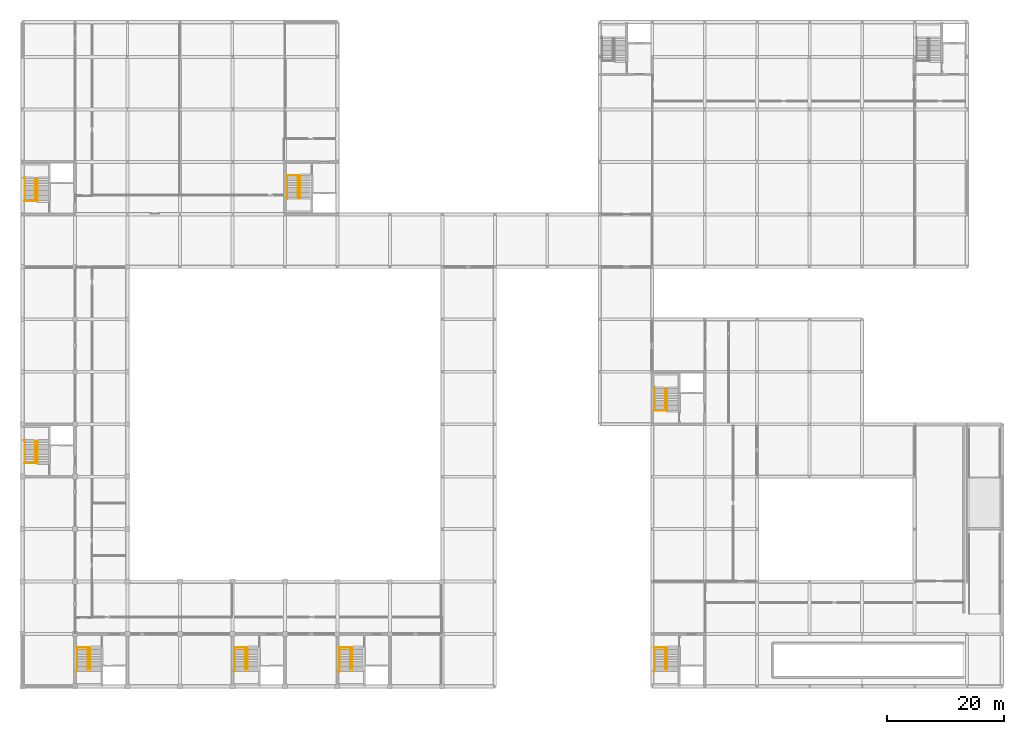
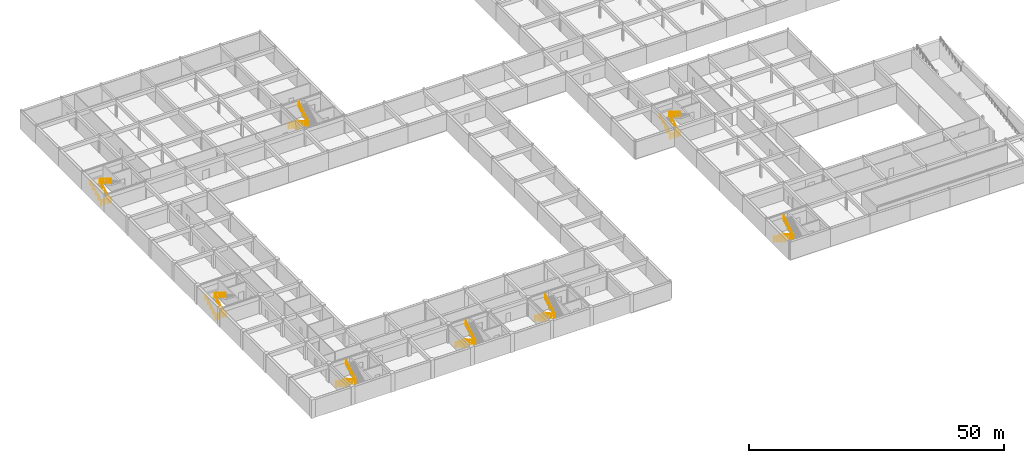
# One storey, part 34 of 35: 24 railings.
"""IFC4 building model written with IfcOpenShell, lengths in metres."""

from ifc_helpers import new_model, si_unit, direction, frame, origin, origin_2d, place, context, subcontext, project, spatial, circle, extrude, material, type_object, element, save


model = new_model("IFC4")

# Units and contexts
model_context = context("Model", 3, precision=1e-05, world=origin(), true_north=direction((0.0, 1.0)))
body_context = subcontext(model_context, "Body", "Model", "MODEL_VIEW")
ifc_project = project(units=[si_unit("LENGTHUNIT", "METRE"), si_unit("AREAUNIT", "SQUARE_METRE"), si_unit("VOLUMEUNIT", "CUBIC_METRE"), si_unit("PLANEANGLEUNIT", "RADIAN"), si_unit("MASSUNIT", "GRAM", prefix="KILO")], contexts=[model_context])

# Site, building, storey
site_placement = place(None, origin())
site = spatial("IfcSite", under=ifc_project, at=site_placement, CompositionType="ELEMENT")
building_placement = place(site_placement, origin())
building = spatial("IfcBuilding", under=site, at=building_placement, Name="Palais des Congres Ocreval", CompositionType="ELEMENT")
storey_placement = place(building_placement, frame((0.0, 0.0, -4.47998046875)))
storey = spatial("IfcBuildingStorey", under=building, at=storey_placement, Name="B1", CompositionType="ELEMENT", Elevation=-4.47998046875)

# Railings
ifc_material_1 = material(Name="Anodized bronze aluminium", Category="aluminium")
railing_type_1 = type_object("IfcRailingType", Name="Bronze Stair and Ramp Handrail 900", PredefinedType="HANDRAIL", material=ifc_material_1)
for number, where, name in (
    (1, (9.3798828125, 6.64990234375, 0.159912109375), "Stair Wall Handrail ST01 B1"),
    (2, (36.3798828125, 6.64990234375, 0.159912109375), "Stair Wall Handrail ST02 B1"),
):
    element("IfcRailing", number, at=place(storey_placement, frame(where)), inside=storey, type_object=railing_type_1, Name=name, PredefinedType="HANDRAIL", context=body_context, shape_type="SweptSolid", body=[
        extrude(circle(Radius=0.02392578125, at=origin_2d()), frame((0.0, 0.0, 0.8759765625), z_axis=(0.0, -0.87556923635, 0.483092654009), x_axis=(1.0, 0.0, 0.0)), (0.0, 0.0, 1.0), 4.63671875),
        extrude(circle(Radius=0.02099609375, at=origin_2d()), origin(), (0.0, 0.0, 1.0), 0.851806640625),
        extrude(circle(Radius=0.02099609375, at=origin_2d()), frame((0.0, -1.014892578125, 0.56005859375)), (0.0, 0.0, 1.0), 0.851806640625),
        extrude(circle(Radius=0.02099609375, at=origin_2d()), frame((0.0, -2.02978515625, 1.1201171875)), (0.0, 0.0, 1.0), 0.851806640625),
        extrude(circle(Radius=0.02099609375, at=origin_2d()), frame((0.0, -3.044921875, 1.679931640625)), (0.0, 0.0, 1.0), 0.851806640625),
        extrude(circle(Radius=0.02099609375, at=origin_2d()), frame((0.0, -4.059814453125, 2.239990234375)), (0.0, 0.0, 1.0), 0.851806640625),
    ])
railing_1_placement = place(storey_placement, frame((0.3798828125, 38.35009765625, 0.159912109375)))
element("IfcRailing", 3, at=railing_1_placement, inside=storey, type_object=railing_type_1, Name="Stair Wall Handrail ST03 B1", PredefinedType="HANDRAIL", context=body_context, shape_type="SweptSolid", body=[
    extrude(circle(Radius=0.02392578125, at=origin_2d()), frame((0.0, 0.0, 0.8759765625), z_axis=(0.0, 0.87556923635, 0.483092654009), x_axis=(-1.0, 0.0, 0.0)), (0.0, 0.0, 1.0), 4.63671875),
    extrude(circle(Radius=0.02099609375, at=origin_2d()), origin(), (0.0, 0.0, 1.0), 0.851806640625),
    extrude(circle(Radius=0.02099609375, at=origin_2d()), frame((0.0, 1.014892578125, 0.56005859375)), (0.0, 0.0, 1.0), 0.851806640625),
    extrude(circle(Radius=0.02099609375, at=origin_2d()), frame((0.0, 2.02978515625, 1.1201171875)), (0.0, 0.0, 1.0), 0.851806640625),
    extrude(circle(Radius=0.02099609375, at=origin_2d()), frame((0.0, 3.044921875, 1.679931640625)), (0.0, 0.0, 1.0), 0.851806640625),
    extrude(circle(Radius=0.02099609375, at=origin_2d()), frame((0.0, 4.059814453125, 2.239990234375)), (0.0, 0.0, 1.0), 0.851806640625),
])
railing_2_placement = place(storey_placement, frame((54.3798828125, 6.64990234375, 0.159912109375)))
element("IfcRailing", 4, at=railing_2_placement, inside=storey, type_object=railing_type_1, Name="Stair Wall Handrail ST04 B1", PredefinedType="HANDRAIL", context=body_context, shape_type="SweptSolid", body=[
    extrude(circle(Radius=0.02392578125, at=origin_2d()), frame((0.0, 0.0, 0.8759765625), z_axis=(0.0, -0.87556923635, 0.483092654009), x_axis=(1.0, 0.0, 0.0)), (0.0, 0.0, 1.0), 4.63671875),
    extrude(circle(Radius=0.02099609375, at=origin_2d()), origin(), (0.0, 0.0, 1.0), 0.851806640625),
    extrude(circle(Radius=0.02099609375, at=origin_2d()), frame((0.0, -1.014892578125, 0.56005859375)), (0.0, 0.0, 1.0), 0.851806640625),
    extrude(circle(Radius=0.02099609375, at=origin_2d()), frame((0.0, -2.02978515625, 1.1201171875)), (0.0, 0.0, 1.0), 0.851806640625),
    extrude(circle(Radius=0.02099609375, at=origin_2d()), frame((0.0, -3.044921875, 1.679931640625)), (0.0, 0.0, 1.0), 0.851806640625),
    extrude(circle(Radius=0.02099609375, at=origin_2d()), frame((0.0, -4.059814453125, 2.239990234375)), (0.0, 0.0, 1.0), 0.851806640625),
])
railing_3_placement = place(storey_placement, frame((0.3798828125, 83.35009765625, 0.159912109375)))
element("IfcRailing", 5, at=railing_3_placement, inside=storey, type_object=railing_type_1, Name="Stair Wall Handrail ST05 B1", PredefinedType="HANDRAIL", context=body_context, shape_type="SweptSolid", body=[
    extrude(circle(Radius=0.02392578125, at=origin_2d()), frame((0.0, 0.0, 0.8759765625), z_axis=(0.0, 0.87556923635, 0.483092654009), x_axis=(-1.0, 0.0, 0.0)), (0.0, 0.0, 1.0), 4.63671875),
    extrude(circle(Radius=0.02099609375, at=origin_2d()), origin(), (0.0, 0.0, 1.0), 0.851806640625),
    extrude(circle(Radius=0.02099609375, at=origin_2d()), frame((0.0, 1.014892578125, 0.56005859375)), (0.0, 0.0, 1.0), 0.851806640625),
    extrude(circle(Radius=0.02099609375, at=origin_2d()), frame((0.0, 2.02978515625, 1.1201171875)), (0.0, 0.0, 1.0), 0.851806640625),
    extrude(circle(Radius=0.02099609375, at=origin_2d()), frame((0.0, 3.044921875, 1.679931640625)), (0.0, 0.0, 1.0), 0.851806640625),
    extrude(circle(Radius=0.02099609375, at=origin_2d()), frame((0.0, 4.059814453125, 2.239990234375)), (0.0, 0.0, 1.0), 0.851806640625),
])
for number, where, name in (
    (6, (45.3798828125, 87.64990234375, 0.159912109375), "Stair Wall Handrail ST06 B1"),
    (7, (108.3798828125, 6.64990234375, 0.159912109375), "Stair Wall Handrail ST09 B1"),
):
    element("IfcRailing", number, at=place(storey_placement, frame(where)), inside=storey, type_object=railing_type_1, Name=name, PredefinedType="HANDRAIL", context=body_context, shape_type="SweptSolid", body=[
        extrude(circle(Radius=0.02392578125, at=origin_2d()), frame((0.0, 0.0, 0.8759765625), z_axis=(0.0, -0.87556923635, 0.483092654009), x_axis=(1.0, 0.0, 0.0)), (0.0, 0.0, 1.0), 4.63671875),
        extrude(circle(Radius=0.02099609375, at=origin_2d()), origin(), (0.0, 0.0, 1.0), 0.851806640625),
        extrude(circle(Radius=0.02099609375, at=origin_2d()), frame((0.0, -1.014892578125, 0.56005859375)), (0.0, 0.0, 1.0), 0.851806640625),
        extrude(circle(Radius=0.02099609375, at=origin_2d()), frame((0.0, -2.02978515625, 1.1201171875)), (0.0, 0.0, 1.0), 0.851806640625),
        extrude(circle(Radius=0.02099609375, at=origin_2d()), frame((0.0, -3.044921875, 1.679931640625)), (0.0, 0.0, 1.0), 0.851806640625),
        extrude(circle(Radius=0.02099609375, at=origin_2d()), frame((0.0, -4.059814453125, 2.239990234375)), (0.0, 0.0, 1.0), 0.851806640625),
    ])
railing_4_placement = place(storey_placement, frame((108.3798828125, 47.35009765625, 0.159912109375)))
element("IfcRailing", 8, at=railing_4_placement, inside=storey, type_object=railing_type_1, Name="Stair Wall Handrail ST10 B1", PredefinedType="HANDRAIL", context=body_context, shape_type="SweptSolid", body=[
    extrude(circle(Radius=0.02392578125, at=origin_2d()), frame((0.0, 0.0, 0.8759765625), z_axis=(0.0, 0.87556923635, 0.483092654009), x_axis=(-1.0, 0.0, 0.0)), (0.0, 0.0, 1.0), 4.63671875),
    extrude(circle(Radius=0.02099609375, at=origin_2d()), origin(), (0.0, 0.0, 1.0), 0.851806640625),
    extrude(circle(Radius=0.02099609375, at=origin_2d()), frame((0.0, 1.014892578125, 0.56005859375)), (0.0, 0.0, 1.0), 0.851806640625),
    extrude(circle(Radius=0.02099609375, at=origin_2d()), frame((0.0, 2.02978515625, 1.1201171875)), (0.0, 0.0, 1.0), 0.851806640625),
    extrude(circle(Radius=0.02099609375, at=origin_2d()), frame((0.0, 3.044921875, 1.679931640625)), (0.0, 0.0, 1.0), 0.851806640625),
    extrude(circle(Radius=0.02099609375, at=origin_2d()), frame((0.0, 4.059814453125, 2.239990234375)), (0.0, 0.0, 1.0), 0.851806640625),
])
ifc_material_2 = material(Name="Steel S355", Category="steel")
railing_type_2 = type_object("IfcRailingType", Name="Stairwell Steel Guardrail 1100", PredefinedType="GUARDRAIL", material=ifc_material_2)
railing_5_placement = place(storey_placement, frame((9.320068359375, 6.699951171875, 0.0)))
element("IfcRailing", 9, at=railing_5_placement, inside=storey, type_object=railing_type_2, Name="Stairwell Landing Edge Guard ST01 B1", PredefinedType="GUARDRAIL", context=body_context, shape_type="SweptSolid", body=[
    extrude(circle(Radius=0.02392578125, at=origin_2d()), frame((0.0, 0.0, 1.076171875), z_axis=(1.0, 0.0, 0.0), x_axis=(0.0, 1.0, 0.0)), (0.0, 0.0, 1.0), 2.25),
    extrude(circle(Radius=0.02099609375, at=origin_2d()), origin(), (0.0, 0.0, 1.0), 1.052001953125),
    extrude(circle(Radius=0.02099609375, at=origin_2d()), frame((0.75, 0.0, 0.0)), (0.0, 0.0, 1.0), 1.052001953125),
    extrude(circle(Radius=0.02099609375, at=origin_2d()), frame((1.5, 0.0, 0.0)), (0.0, 0.0, 1.0), 1.052001953125),
    extrude(circle(Radius=0.02099609375, at=origin_2d()), frame((2.25, 0.0, 0.0)), (0.0, 0.0, 1.0), 1.052001953125),
])
railing_6_placement = place(storey_placement, frame((11.22998046875, 6.64990234375, 0.0)))
element("IfcRailing", 10, at=railing_6_placement, inside=storey, type_object=railing_type_2, Name="Stair Inner Guardrail ST01 B1", PredefinedType="GUARDRAIL", context=body_context, shape_type="SweptSolid", body=[
    extrude(circle(Radius=0.02392578125, at=origin_2d()), frame((0.0, 0.0, 1.076171875), z_axis=(0.0, -0.859700428432, 0.510798564361), x_axis=(1.0, 0.0, 0.0)), (0.0, 0.0, 1.0), 4.38525390625),
    extrude(circle(Radius=0.02392578125, at=origin_2d()), frame((0.0, -3.77001953125, 3.31591796875), z_axis=(1.0, 0.0, 0.0), x_axis=(0.0, 1.0, 0.0)), (0.0, 0.0, 1.0), 0.340087890625),
    extrude(circle(Radius=0.02392578125, at=origin_2d()), frame((0.340087890625, -3.77001953125, 3.31591796875), z_axis=(0.0, 0.859700428432, 0.510798564361), x_axis=(-1.0, 0.0, 0.0)), (0.0, 0.0, 1.0), 4.38525390625),
    extrude(circle(Radius=0.02099609375, at=origin_2d()), origin(), (0.0, 0.0, 1.0), 1.052001953125),
    extrude(circle(Radius=0.02099609375, at=origin_2d()), frame((0.0, -0.9423828125, 0.56005859375)), (0.0, 0.0, 1.0), 1.052001953125),
    extrude(circle(Radius=0.02099609375, at=origin_2d()), frame((0.0, -1.885009765625, 1.1201171875)), (0.0, 0.0, 1.0), 1.052001953125),
    extrude(circle(Radius=0.02099609375, at=origin_2d()), frame((0.0, -2.82763671875, 1.679931640625)), (0.0, 0.0, 1.0), 1.052001953125),
    extrude(circle(Radius=0.02099609375, at=origin_2d()), frame((0.0, -3.77001953125, 2.239990234375)), (0.0, 0.0, 1.0), 1.052001953125),
    extrude(circle(Radius=0.02099609375, at=origin_2d()), frame((0.340087890625, -3.77001953125, 2.239990234375)), (0.0, 0.0, 1.0), 1.052001953125),
    extrude(circle(Radius=0.02099609375, at=origin_2d()), frame((0.340087890625, -2.82763671875, 2.800048828125)), (0.0, 0.0, 1.0), 1.052001953125),
    extrude(circle(Radius=0.02099609375, at=origin_2d()), frame((0.340087890625, -1.885009765625, 3.35986328125)), (0.0, 0.0, 1.0), 1.052001953125),
    extrude(circle(Radius=0.02099609375, at=origin_2d()), frame((0.340087890625, -0.9423828125, 3.919921875)), (0.0, 0.0, 1.0), 1.052001953125),
    extrude(circle(Radius=0.02099609375, at=origin_2d()), frame((0.340087890625, 0.0, 4.47998046875)), (0.0, 0.0, 1.0), 1.052001953125),
])
railing_7_placement = place(storey_placement, frame((36.320068359375, 6.699951171875, 0.0)))
element("IfcRailing", 11, at=railing_7_placement, inside=storey, type_object=railing_type_2, Name="Stairwell Landing Edge Guard ST02 B1", PredefinedType="GUARDRAIL", context=body_context, shape_type="SweptSolid", body=[
    extrude(circle(Radius=0.02392578125, at=origin_2d()), frame((0.0, 0.0, 1.076171875), z_axis=(1.0, 0.0, 0.0), x_axis=(0.0, 1.0, 0.0)), (0.0, 0.0, 1.0), 2.25),
    extrude(circle(Radius=0.02099609375, at=origin_2d()), origin(), (0.0, 0.0, 1.0), 1.052001953125),
    extrude(circle(Radius=0.02099609375, at=origin_2d()), frame((0.75, 0.0, 0.0)), (0.0, 0.0, 1.0), 1.052001953125),
    extrude(circle(Radius=0.02099609375, at=origin_2d()), frame((1.5, 0.0, 0.0)), (0.0, 0.0, 1.0), 1.052001953125),
    extrude(circle(Radius=0.02099609375, at=origin_2d()), frame((2.25, 0.0, 0.0)), (0.0, 0.0, 1.0), 1.052001953125),
])
railing_8_placement = place(storey_placement, frame((38.22998046875, 6.64990234375, 0.0)))
element("IfcRailing", 12, at=railing_8_placement, inside=storey, type_object=railing_type_2, Name="Stair Inner Guardrail ST02 B1", PredefinedType="GUARDRAIL", context=body_context, shape_type="SweptSolid", body=[
    extrude(circle(Radius=0.02392578125, at=origin_2d()), frame((0.0, 0.0, 1.076171875), z_axis=(0.0, -0.859700428432, 0.510798564361), x_axis=(1.0, 0.0, 0.0)), (0.0, 0.0, 1.0), 4.38525390625),
    extrude(circle(Radius=0.02392578125, at=origin_2d()), frame((0.0, -3.77001953125, 3.31591796875), z_axis=(1.0, 0.0, 0.0), x_axis=(0.0, 1.0, 0.0)), (0.0, 0.0, 1.0), 0.340087890625),
    extrude(circle(Radius=0.02392578125, at=origin_2d()), frame((0.340087890625, -3.77001953125, 3.31591796875), z_axis=(0.0, 0.859700428432, 0.510798564361), x_axis=(-1.0, 0.0, 0.0)), (0.0, 0.0, 1.0), 4.38525390625),
    extrude(circle(Radius=0.02099609375, at=origin_2d()), origin(), (0.0, 0.0, 1.0), 1.052001953125),
    extrude(circle(Radius=0.02099609375, at=origin_2d()), frame((0.0, -0.9423828125, 0.56005859375)), (0.0, 0.0, 1.0), 1.052001953125),
    extrude(circle(Radius=0.02099609375, at=origin_2d()), frame((0.0, -1.885009765625, 1.1201171875)), (0.0, 0.0, 1.0), 1.052001953125),
    extrude(circle(Radius=0.02099609375, at=origin_2d()), frame((0.0, -2.82763671875, 1.679931640625)), (0.0, 0.0, 1.0), 1.052001953125),
    extrude(circle(Radius=0.02099609375, at=origin_2d()), frame((0.0, -3.77001953125, 2.239990234375)), (0.0, 0.0, 1.0), 1.052001953125),
    extrude(circle(Radius=0.02099609375, at=origin_2d()), frame((0.340087890625, -3.77001953125, 2.239990234375)), (0.0, 0.0, 1.0), 1.052001953125),
    extrude(circle(Radius=0.02099609375, at=origin_2d()), frame((0.340087890625, -2.82763671875, 2.800048828125)), (0.0, 0.0, 1.0), 1.052001953125),
    extrude(circle(Radius=0.02099609375, at=origin_2d()), frame((0.340087890625, -1.885009765625, 3.35986328125)), (0.0, 0.0, 1.0), 1.052001953125),
    extrude(circle(Radius=0.02099609375, at=origin_2d()), frame((0.340087890625, -0.9423828125, 3.919921875)), (0.0, 0.0, 1.0), 1.052001953125),
    extrude(circle(Radius=0.02099609375, at=origin_2d()), frame((0.340087890625, 0.0, 4.47998046875)), (0.0, 0.0, 1.0), 1.052001953125),
])
railing_9_placement = place(storey_placement, frame((0.320068359375, 38.300048828125, 0.0)))
element("IfcRailing", 13, at=railing_9_placement, inside=storey, type_object=railing_type_2, Name="Stairwell Landing Edge Guard ST03 B1", PredefinedType="GUARDRAIL", context=body_context, shape_type="SweptSolid", body=[
    extrude(circle(Radius=0.02392578125, at=origin_2d()), frame((0.0, 0.0, 1.076171875), z_axis=(1.0, 0.0, 0.0), x_axis=(0.0, 1.0, 0.0)), (0.0, 0.0, 1.0), 2.25),
    extrude(circle(Radius=0.02099609375, at=origin_2d()), origin(), (0.0, 0.0, 1.0), 1.052001953125),
    extrude(circle(Radius=0.02099609375, at=origin_2d()), frame((0.75, 0.0, 0.0)), (0.0, 0.0, 1.0), 1.052001953125),
    extrude(circle(Radius=0.02099609375, at=origin_2d()), frame((1.5, 0.0, 0.0)), (0.0, 0.0, 1.0), 1.052001953125),
    extrude(circle(Radius=0.02099609375, at=origin_2d()), frame((2.25, 0.0, 0.0)), (0.0, 0.0, 1.0), 1.052001953125),
])
railing_10_placement = place(storey_placement, frame((2.22998046875, 38.35009765625, 0.0)))
element("IfcRailing", 14, at=railing_10_placement, inside=storey, type_object=railing_type_2, Name="Stair Inner Guardrail ST03 B1", PredefinedType="GUARDRAIL", context=body_context, shape_type="SweptSolid", body=[
    extrude(circle(Radius=0.02392578125, at=origin_2d()), frame((0.0, 0.0, 1.076171875), z_axis=(0.0, 0.859700428432, 0.510798564361), x_axis=(-1.0, 0.0, 0.0)), (0.0, 0.0, 1.0), 4.38525390625),
    extrude(circle(Radius=0.02392578125, at=origin_2d()), frame((0.0, 3.77001953125, 3.31591796875), z_axis=(1.0, 0.0, 0.0), x_axis=(0.0, 1.0, 0.0)), (0.0, 0.0, 1.0), 0.340087890625),
    extrude(circle(Radius=0.02392578125, at=origin_2d()), frame((0.340087890625, 3.77001953125, 3.31591796875), z_axis=(0.0, -0.859700428432, 0.510798564361), x_axis=(1.0, 0.0, 0.0)), (0.0, 0.0, 1.0), 4.38525390625),
    extrude(circle(Radius=0.02099609375, at=origin_2d()), origin(), (0.0, 0.0, 1.0), 1.052001953125),
    extrude(circle(Radius=0.02099609375, at=origin_2d()), frame((0.0, 0.9423828125, 0.56005859375)), (0.0, 0.0, 1.0), 1.052001953125),
    extrude(circle(Radius=0.02099609375, at=origin_2d()), frame((0.0, 1.885009765625, 1.1201171875)), (0.0, 0.0, 1.0), 1.052001953125),
    extrude(circle(Radius=0.02099609375, at=origin_2d()), frame((0.0, 2.82763671875, 1.679931640625)), (0.0, 0.0, 1.0), 1.052001953125),
    extrude(circle(Radius=0.02099609375, at=origin_2d()), frame((0.0, 3.77001953125, 2.239990234375)), (0.0, 0.0, 1.0), 1.052001953125),
    extrude(circle(Radius=0.02099609375, at=origin_2d()), frame((0.340087890625, 3.77001953125, 2.239990234375)), (0.0, 0.0, 1.0), 1.052001953125),
    extrude(circle(Radius=0.02099609375, at=origin_2d()), frame((0.340087890625, 2.82763671875, 2.800048828125)), (0.0, 0.0, 1.0), 1.052001953125),
    extrude(circle(Radius=0.02099609375, at=origin_2d()), frame((0.340087890625, 1.885009765625, 3.35986328125)), (0.0, 0.0, 1.0), 1.052001953125),
    extrude(circle(Radius=0.02099609375, at=origin_2d()), frame((0.340087890625, 0.9423828125, 3.919921875)), (0.0, 0.0, 1.0), 1.052001953125),
    extrude(circle(Radius=0.02099609375, at=origin_2d()), frame((0.340087890625, 0.0, 4.47998046875)), (0.0, 0.0, 1.0), 1.052001953125),
])
railing_11_placement = place(storey_placement, frame((54.320068359375, 6.699951171875, 0.0)))
element("IfcRailing", 15, at=railing_11_placement, inside=storey, type_object=railing_type_2, Name="Stairwell Landing Edge Guard ST04 B1", PredefinedType="GUARDRAIL", context=body_context, shape_type="SweptSolid", body=[
    extrude(circle(Radius=0.02392578125, at=origin_2d()), frame((0.0, 0.0, 1.076171875), z_axis=(1.0, 0.0, 0.0), x_axis=(0.0, 1.0, 0.0)), (0.0, 0.0, 1.0), 2.25),
    extrude(circle(Radius=0.02099609375, at=origin_2d()), origin(), (0.0, 0.0, 1.0), 1.052001953125),
    extrude(circle(Radius=0.02099609375, at=origin_2d()), frame((0.75, 0.0, 0.0)), (0.0, 0.0, 1.0), 1.052001953125),
    extrude(circle(Radius=0.02099609375, at=origin_2d()), frame((1.5, 0.0, 0.0)), (0.0, 0.0, 1.0), 1.052001953125),
    extrude(circle(Radius=0.02099609375, at=origin_2d()), frame((2.25, 0.0, 0.0)), (0.0, 0.0, 1.0), 1.052001953125),
])
railing_12_placement = place(storey_placement, frame((56.22998046875, 6.64990234375, 0.0)))
element("IfcRailing", 16, at=railing_12_placement, inside=storey, type_object=railing_type_2, Name="Stair Inner Guardrail ST04 B1", PredefinedType="GUARDRAIL", context=body_context, shape_type="SweptSolid", body=[
    extrude(circle(Radius=0.02392578125, at=origin_2d()), frame((0.0, 0.0, 1.076171875), z_axis=(0.0, -0.859700428432, 0.510798564361), x_axis=(1.0, 0.0, 0.0)), (0.0, 0.0, 1.0), 4.38525390625),
    extrude(circle(Radius=0.02392578125, at=origin_2d()), frame((0.0, -3.77001953125, 3.31591796875), z_axis=(1.0, 0.0, 0.0), x_axis=(0.0, 1.0, 0.0)), (0.0, 0.0, 1.0), 0.340087890625),
    extrude(circle(Radius=0.02392578125, at=origin_2d()), frame((0.340087890625, -3.77001953125, 3.31591796875), z_axis=(0.0, 0.859700428432, 0.510798564361), x_axis=(-1.0, 0.0, 0.0)), (0.0, 0.0, 1.0), 4.38525390625),
    extrude(circle(Radius=0.02099609375, at=origin_2d()), origin(), (0.0, 0.0, 1.0), 1.052001953125),
    extrude(circle(Radius=0.02099609375, at=origin_2d()), frame((0.0, -0.9423828125, 0.56005859375)), (0.0, 0.0, 1.0), 1.052001953125),
    extrude(circle(Radius=0.02099609375, at=origin_2d()), frame((0.0, -1.885009765625, 1.1201171875)), (0.0, 0.0, 1.0), 1.052001953125),
    extrude(circle(Radius=0.02099609375, at=origin_2d()), frame((0.0, -2.82763671875, 1.679931640625)), (0.0, 0.0, 1.0), 1.052001953125),
    extrude(circle(Radius=0.02099609375, at=origin_2d()), frame((0.0, -3.77001953125, 2.239990234375)), (0.0, 0.0, 1.0), 1.052001953125),
    extrude(circle(Radius=0.02099609375, at=origin_2d()), frame((0.340087890625, -3.77001953125, 2.239990234375)), (0.0, 0.0, 1.0), 1.052001953125),
    extrude(circle(Radius=0.02099609375, at=origin_2d()), frame((0.340087890625, -2.82763671875, 2.800048828125)), (0.0, 0.0, 1.0), 1.052001953125),
    extrude(circle(Radius=0.02099609375, at=origin_2d()), frame((0.340087890625, -1.885009765625, 3.35986328125)), (0.0, 0.0, 1.0), 1.052001953125),
    extrude(circle(Radius=0.02099609375, at=origin_2d()), frame((0.340087890625, -0.9423828125, 3.919921875)), (0.0, 0.0, 1.0), 1.052001953125),
    extrude(circle(Radius=0.02099609375, at=origin_2d()), frame((0.340087890625, 0.0, 4.47998046875)), (0.0, 0.0, 1.0), 1.052001953125),
])
railing_13_placement = place(storey_placement, frame((0.320068359375, 83.300048828125, 0.0)))
element("IfcRailing", 17, at=railing_13_placement, inside=storey, type_object=railing_type_2, Name="Stairwell Landing Edge Guard ST05 B1", PredefinedType="GUARDRAIL", context=body_context, shape_type="SweptSolid", body=[
    extrude(circle(Radius=0.02392578125, at=origin_2d()), frame((0.0, 0.0, 1.076171875), z_axis=(1.0, 0.0, 0.0), x_axis=(0.0, 1.0, 0.0)), (0.0, 0.0, 1.0), 2.25),
    extrude(circle(Radius=0.02099609375, at=origin_2d()), origin(), (0.0, 0.0, 1.0), 1.052001953125),
    extrude(circle(Radius=0.02099609375, at=origin_2d()), frame((0.75, 0.0, 0.0)), (0.0, 0.0, 1.0), 1.052001953125),
    extrude(circle(Radius=0.02099609375, at=origin_2d()), frame((1.5, 0.0, 0.0)), (0.0, 0.0, 1.0), 1.052001953125),
    extrude(circle(Radius=0.02099609375, at=origin_2d()), frame((2.25, 0.0, 0.0)), (0.0, 0.0, 1.0), 1.052001953125),
])
railing_14_placement = place(storey_placement, frame((2.22998046875, 83.35009765625, 0.0)))
element("IfcRailing", 18, at=railing_14_placement, inside=storey, type_object=railing_type_2, Name="Stair Inner Guardrail ST05 B1", PredefinedType="GUARDRAIL", context=body_context, shape_type="SweptSolid", body=[
    extrude(circle(Radius=0.02392578125, at=origin_2d()), frame((0.0, 0.0, 1.076171875), z_axis=(0.0, 0.859700428432, 0.510798564361), x_axis=(-1.0, 0.0, 0.0)), (0.0, 0.0, 1.0), 4.38525390625),
    extrude(circle(Radius=0.02392578125, at=origin_2d()), frame((0.0, 3.77001953125, 3.31591796875), z_axis=(1.0, 0.0, 0.0), x_axis=(0.0, 1.0, 0.0)), (0.0, 0.0, 1.0), 0.340087890625),
    extrude(circle(Radius=0.02392578125, at=origin_2d()), frame((0.340087890625, 3.77001953125, 3.31591796875), z_axis=(0.0, -0.859700428432, 0.510798564361), x_axis=(1.0, 0.0, 0.0)), (0.0, 0.0, 1.0), 4.38525390625),
    extrude(circle(Radius=0.02099609375, at=origin_2d()), origin(), (0.0, 0.0, 1.0), 1.052001953125),
    extrude(circle(Radius=0.02099609375, at=origin_2d()), frame((0.0, 0.9423828125, 0.56005859375)), (0.0, 0.0, 1.0), 1.052001953125),
    extrude(circle(Radius=0.02099609375, at=origin_2d()), frame((0.0, 1.885009765625, 1.1201171875)), (0.0, 0.0, 1.0), 1.052001953125),
    extrude(circle(Radius=0.02099609375, at=origin_2d()), frame((0.0, 2.82763671875, 1.679931640625)), (0.0, 0.0, 1.0), 1.052001953125),
    extrude(circle(Radius=0.02099609375, at=origin_2d()), frame((0.0, 3.77001953125, 2.239990234375)), (0.0, 0.0, 1.0), 1.052001953125),
    extrude(circle(Radius=0.02099609375, at=origin_2d()), frame((0.340087890625, 3.77001953125, 2.239990234375)), (0.0, 0.0, 1.0), 1.052001953125),
    extrude(circle(Radius=0.02099609375, at=origin_2d()), frame((0.340087890625, 2.82763671875, 2.800048828125)), (0.0, 0.0, 1.0), 1.052001953125),
    extrude(circle(Radius=0.02099609375, at=origin_2d()), frame((0.340087890625, 1.885009765625, 3.35986328125)), (0.0, 0.0, 1.0), 1.052001953125),
    extrude(circle(Radius=0.02099609375, at=origin_2d()), frame((0.340087890625, 0.9423828125, 3.919921875)), (0.0, 0.0, 1.0), 1.052001953125),
    extrude(circle(Radius=0.02099609375, at=origin_2d()), frame((0.340087890625, 0.0, 4.47998046875)), (0.0, 0.0, 1.0), 1.052001953125),
])
railing_15_placement = place(storey_placement, frame((45.320068359375, 87.699951171875, 0.0)))
element("IfcRailing", 19, at=railing_15_placement, inside=storey, type_object=railing_type_2, Name="Stairwell Landing Edge Guard ST06 B1", PredefinedType="GUARDRAIL", context=body_context, shape_type="SweptSolid", body=[
    extrude(circle(Radius=0.02392578125, at=origin_2d()), frame((0.0, 0.0, 1.076171875), z_axis=(1.0, 0.0, 0.0), x_axis=(0.0, 1.0, 0.0)), (0.0, 0.0, 1.0), 2.25),
    extrude(circle(Radius=0.02099609375, at=origin_2d()), origin(), (0.0, 0.0, 1.0), 1.052001953125),
    extrude(circle(Radius=0.02099609375, at=origin_2d()), frame((0.75, 0.0, 0.0)), (0.0, 0.0, 1.0), 1.052001953125),
    extrude(circle(Radius=0.02099609375, at=origin_2d()), frame((1.5, 0.0, 0.0)), (0.0, 0.0, 1.0), 1.052001953125),
    extrude(circle(Radius=0.02099609375, at=origin_2d()), frame((2.25, 0.0, 0.0)), (0.0, 0.0, 1.0), 1.052001953125),
])
railing_16_placement = place(storey_placement, frame((47.22998046875, 87.64990234375, 0.0)))
element("IfcRailing", 20, at=railing_16_placement, inside=storey, type_object=railing_type_2, Name="Stair Inner Guardrail ST06 B1", PredefinedType="GUARDRAIL", context=body_context, shape_type="SweptSolid", body=[
    extrude(circle(Radius=0.02392578125, at=origin_2d()), frame((0.0, 0.0, 1.076171875), z_axis=(0.0, -0.859700428432, 0.510798564361), x_axis=(1.0, 0.0, 0.0)), (0.0, 0.0, 1.0), 4.38525390625),
    extrude(circle(Radius=0.02392578125, at=origin_2d()), frame((0.0, -3.77001953125, 3.31591796875), z_axis=(1.0, 0.0, 0.0), x_axis=(0.0, 1.0, 0.0)), (0.0, 0.0, 1.0), 0.340087890625),
    extrude(circle(Radius=0.02392578125, at=origin_2d()), frame((0.340087890625, -3.77001953125, 3.31591796875), z_axis=(0.0, 0.859700428432, 0.510798564361), x_axis=(-1.0, 0.0, 0.0)), (0.0, 0.0, 1.0), 4.38525390625),
    extrude(circle(Radius=0.02099609375, at=origin_2d()), origin(), (0.0, 0.0, 1.0), 1.052001953125),
    extrude(circle(Radius=0.02099609375, at=origin_2d()), frame((0.0, -0.9423828125, 0.56005859375)), (0.0, 0.0, 1.0), 1.052001953125),
    extrude(circle(Radius=0.02099609375, at=origin_2d()), frame((0.0, -1.885009765625, 1.1201171875)), (0.0, 0.0, 1.0), 1.052001953125),
    extrude(circle(Radius=0.02099609375, at=origin_2d()), frame((0.0, -2.82763671875, 1.679931640625)), (0.0, 0.0, 1.0), 1.052001953125),
    extrude(circle(Radius=0.02099609375, at=origin_2d()), frame((0.0, -3.77001953125, 2.239990234375)), (0.0, 0.0, 1.0), 1.052001953125),
    extrude(circle(Radius=0.02099609375, at=origin_2d()), frame((0.340087890625, -3.77001953125, 2.239990234375)), (0.0, 0.0, 1.0), 1.052001953125),
    extrude(circle(Radius=0.02099609375, at=origin_2d()), frame((0.340087890625, -2.82763671875, 2.800048828125)), (0.0, 0.0, 1.0), 1.052001953125),
    extrude(circle(Radius=0.02099609375, at=origin_2d()), frame((0.340087890625, -1.885009765625, 3.35986328125)), (0.0, 0.0, 1.0), 1.052001953125),
    extrude(circle(Radius=0.02099609375, at=origin_2d()), frame((0.340087890625, -0.9423828125, 3.919921875)), (0.0, 0.0, 1.0), 1.052001953125),
    extrude(circle(Radius=0.02099609375, at=origin_2d()), frame((0.340087890625, 0.0, 4.47998046875)), (0.0, 0.0, 1.0), 1.052001953125),
])
railing_17_placement = place(storey_placement, frame((108.320068359375, 6.699951171875, 0.0)))
element("IfcRailing", 21, at=railing_17_placement, inside=storey, type_object=railing_type_2, Name="Stairwell Landing Edge Guard ST09 B1", PredefinedType="GUARDRAIL", context=body_context, shape_type="SweptSolid", body=[
    extrude(circle(Radius=0.02392578125, at=origin_2d()), frame((0.0, 0.0, 1.076171875), z_axis=(1.0, 0.0, 0.0), x_axis=(0.0, 1.0, 0.0)), (0.0, 0.0, 1.0), 2.199951171875),
    extrude(circle(Radius=0.02099609375, at=origin_2d()), origin(), (0.0, 0.0, 1.0), 1.052001953125),
    extrude(circle(Radius=0.02099609375, at=origin_2d()), frame((0.7333984375, 0.0, 0.0)), (0.0, 0.0, 1.0), 1.052001953125),
    extrude(circle(Radius=0.02099609375, at=origin_2d()), frame((1.466552734375, 0.0, 0.0)), (0.0, 0.0, 1.0), 1.052001953125),
    extrude(circle(Radius=0.02099609375, at=origin_2d()), frame((2.199951171875, 0.0, 0.0)), (0.0, 0.0, 1.0), 1.052001953125),
])
railing_18_placement = place(storey_placement, frame((110.280029296875, 6.64990234375, 0.0)))
element("IfcRailing", 22, at=railing_18_placement, inside=storey, type_object=railing_type_2, Name="Stair Inner Guardrail ST09 B1", PredefinedType="GUARDRAIL", context=body_context, shape_type="SweptSolid", body=[
    extrude(circle(Radius=0.02392578125, at=origin_2d()), frame((0.0, 0.0, 1.076171875), z_axis=(0.0, -0.859700428432, 0.510798564361), x_axis=(1.0, 0.0, 0.0)), (0.0, 0.0, 1.0), 4.38525390625),
    extrude(circle(Radius=0.02392578125, at=origin_2d()), frame((0.0, -3.77001953125, 3.31591796875), z_axis=(1.0, 0.0, 0.0), x_axis=(0.0, 1.0, 0.0)), (0.0, 0.0, 1.0), 0.239990234375),
    extrude(circle(Radius=0.02392578125, at=origin_2d()), frame((0.239990234375, -3.77001953125, 3.31591796875), z_axis=(0.0, 0.859700428432, 0.510798564361), x_axis=(-1.0, 0.0, 0.0)), (0.0, 0.0, 1.0), 4.38525390625),
    extrude(circle(Radius=0.02099609375, at=origin_2d()), origin(), (0.0, 0.0, 1.0), 1.052001953125),
    extrude(circle(Radius=0.02099609375, at=origin_2d()), frame((0.0, -0.9423828125, 0.56005859375)), (0.0, 0.0, 1.0), 1.052001953125),
    extrude(circle(Radius=0.02099609375, at=origin_2d()), frame((0.0, -1.885009765625, 1.1201171875)), (0.0, 0.0, 1.0), 1.052001953125),
    extrude(circle(Radius=0.02099609375, at=origin_2d()), frame((0.0, -2.82763671875, 1.679931640625)), (0.0, 0.0, 1.0), 1.052001953125),
    extrude(circle(Radius=0.02099609375, at=origin_2d()), frame((0.0, -3.77001953125, 2.239990234375)), (0.0, 0.0, 1.0), 1.052001953125),
    extrude(circle(Radius=0.02099609375, at=origin_2d()), frame((0.239990234375, -3.77001953125, 2.239990234375)), (0.0, 0.0, 1.0), 1.052001953125),
    extrude(circle(Radius=0.02099609375, at=origin_2d()), frame((0.239990234375, -2.82763671875, 2.800048828125)), (0.0, 0.0, 1.0), 1.052001953125),
    extrude(circle(Radius=0.02099609375, at=origin_2d()), frame((0.239990234375, -1.885009765625, 3.35986328125)), (0.0, 0.0, 1.0), 1.052001953125),
    extrude(circle(Radius=0.02099609375, at=origin_2d()), frame((0.239990234375, -0.9423828125, 3.919921875)), (0.0, 0.0, 1.0), 1.052001953125),
    extrude(circle(Radius=0.02099609375, at=origin_2d()), frame((0.239990234375, 0.0, 4.47998046875)), (0.0, 0.0, 1.0), 1.052001953125),
])
railing_19_placement = place(storey_placement, frame((108.320068359375, 47.300048828125, 0.0)))
element("IfcRailing", 23, at=railing_19_placement, inside=storey, type_object=railing_type_2, Name="Stairwell Landing Edge Guard ST10 B1", PredefinedType="GUARDRAIL", context=body_context, shape_type="SweptSolid", body=[
    extrude(circle(Radius=0.02392578125, at=origin_2d()), frame((0.0, 0.0, 1.076171875), z_axis=(1.0, 0.0, 0.0), x_axis=(0.0, 1.0, 0.0)), (0.0, 0.0, 1.0), 2.199951171875),
    extrude(circle(Radius=0.02099609375, at=origin_2d()), origin(), (0.0, 0.0, 1.0), 1.052001953125),
    extrude(circle(Radius=0.02099609375, at=origin_2d()), frame((0.7333984375, 0.0, 0.0)), (0.0, 0.0, 1.0), 1.052001953125),
    extrude(circle(Radius=0.02099609375, at=origin_2d()), frame((1.466552734375, 0.0, 0.0)), (0.0, 0.0, 1.0), 1.052001953125),
    extrude(circle(Radius=0.02099609375, at=origin_2d()), frame((2.199951171875, 0.0, 0.0)), (0.0, 0.0, 1.0), 1.052001953125),
])
railing_20_placement = place(storey_placement, frame((110.280029296875, 47.35009765625, 0.0)))
element("IfcRailing", 24, at=railing_20_placement, inside=storey, type_object=railing_type_2, Name="Stair Inner Guardrail ST10 B1", PredefinedType="GUARDRAIL", context=body_context, shape_type="SweptSolid", body=[
    extrude(circle(Radius=0.02392578125, at=origin_2d()), frame((0.0, 0.0, 1.076171875), z_axis=(0.0, 0.859700428432, 0.510798564361), x_axis=(-1.0, 0.0, 0.0)), (0.0, 0.0, 1.0), 4.38525390625),
    extrude(circle(Radius=0.02392578125, at=origin_2d()), frame((0.0, 3.77001953125, 3.31591796875), z_axis=(1.0, 0.0, 0.0), x_axis=(0.0, 1.0, 0.0)), (0.0, 0.0, 1.0), 0.239990234375),
    extrude(circle(Radius=0.02392578125, at=origin_2d()), frame((0.239990234375, 3.77001953125, 3.31591796875), z_axis=(0.0, -0.859700428432, 0.510798564361), x_axis=(1.0, 0.0, 0.0)), (0.0, 0.0, 1.0), 4.38525390625),
    extrude(circle(Radius=0.02099609375, at=origin_2d()), origin(), (0.0, 0.0, 1.0), 1.052001953125),
    extrude(circle(Radius=0.02099609375, at=origin_2d()), frame((0.0, 0.9423828125, 0.56005859375)), (0.0, 0.0, 1.0), 1.052001953125),
    extrude(circle(Radius=0.02099609375, at=origin_2d()), frame((0.0, 1.885009765625, 1.1201171875)), (0.0, 0.0, 1.0), 1.052001953125),
    extrude(circle(Radius=0.02099609375, at=origin_2d()), frame((0.0, 2.82763671875, 1.679931640625)), (0.0, 0.0, 1.0), 1.052001953125),
    extrude(circle(Radius=0.02099609375, at=origin_2d()), frame((0.0, 3.77001953125, 2.239990234375)), (0.0, 0.0, 1.0), 1.052001953125),
    extrude(circle(Radius=0.02099609375, at=origin_2d()), frame((0.239990234375, 3.77001953125, 2.239990234375)), (0.0, 0.0, 1.0), 1.052001953125),
    extrude(circle(Radius=0.02099609375, at=origin_2d()), frame((0.239990234375, 2.82763671875, 2.800048828125)), (0.0, 0.0, 1.0), 1.052001953125),
    extrude(circle(Radius=0.02099609375, at=origin_2d()), frame((0.239990234375, 1.885009765625, 3.35986328125)), (0.0, 0.0, 1.0), 1.052001953125),
    extrude(circle(Radius=0.02099609375, at=origin_2d()), frame((0.239990234375, 0.9423828125, 3.919921875)), (0.0, 0.0, 1.0), 1.052001953125),
    extrude(circle(Radius=0.02099609375, at=origin_2d()), frame((0.239990234375, 0.0, 4.47998046875)), (0.0, 0.0, 1.0), 1.052001953125),
])

save(model, "model.ifc")
